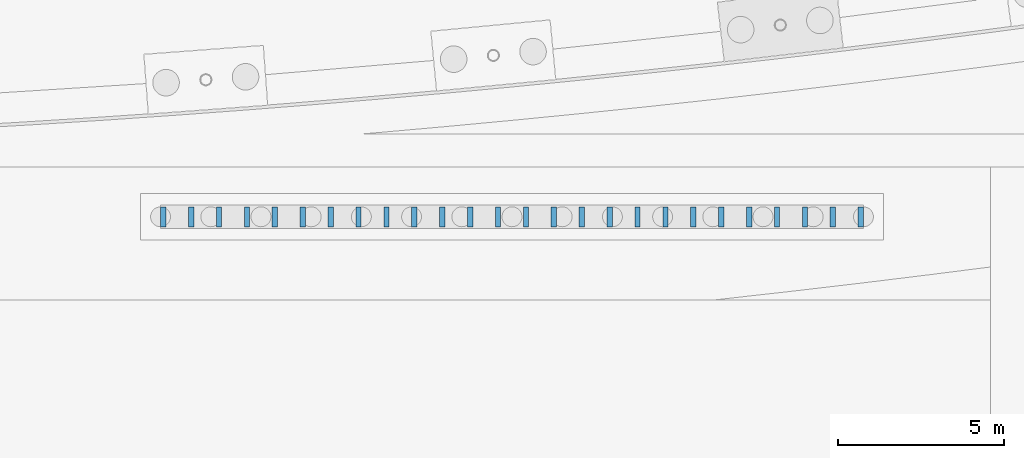
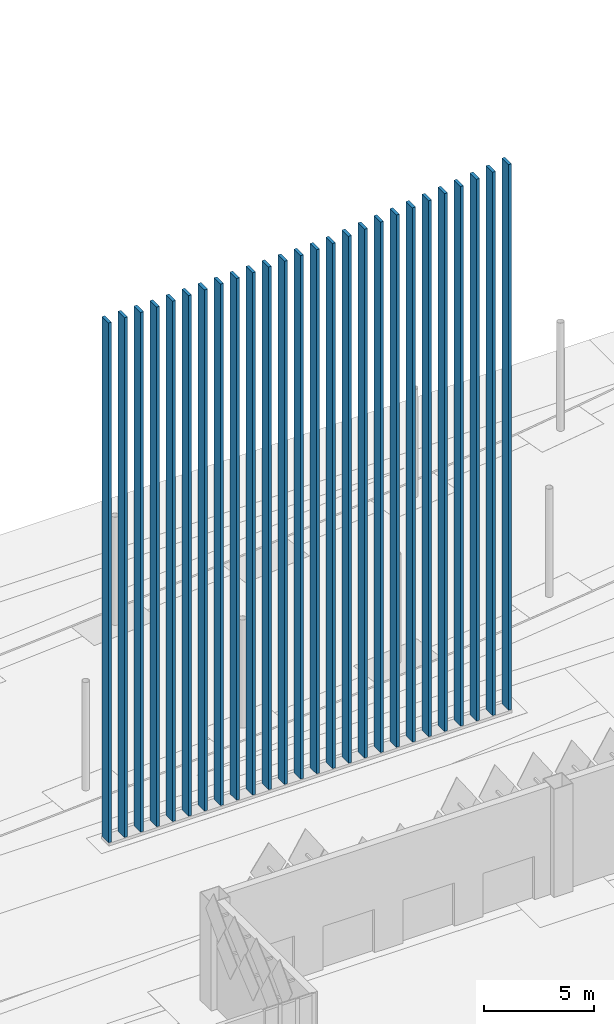
# One storey, part 49 of 198: 26 members.
"""IFC4 building model written with IfcOpenShell, lengths in metres."""

from ifc_helpers import new_model, si_unit, direction, frame, origin, origin_2d, place, context, subcontext, project, spatial, rectangle, extrude, material, material_profile, profile_set, type_object, element, save


model = new_model("IFC4")

# Units and contexts
model_context = context("Model", 3, precision=1e-05, world=origin(), true_north=direction((0.0, 1.0)))
body_context = subcontext(model_context, "Body", "Model", "MODEL_VIEW")
ifc_project = project(units=[si_unit("LENGTHUNIT", "METRE"), si_unit("AREAUNIT", "SQUARE_METRE"), si_unit("VOLUMEUNIT", "CUBIC_METRE"), si_unit("PLANEANGLEUNIT", "RADIAN"), si_unit("MASSUNIT", "GRAM", prefix="KILO")], contexts=[model_context])

# Site, building, storey
site_placement = place(None, origin())
site = spatial("IfcSite", under=ifc_project, at=site_placement, CompositionType="ELEMENT")
building_placement = place(site_placement, origin())
building = spatial("IfcBuilding", under=site, at=building_placement, Name="Opaline Strait Convention Centre", CompositionType="ELEMENT")
storey_placement = place(building_placement, origin())
storey = spatial("IfcBuildingStorey", under=building, at=storey_placement, Name="L00", CompositionType="ELEMENT", Elevation=0.0)

# Members
ifc_material = material(Name="Steel Q355B", Category="steel")
ifc_material_profile = material_profile(ifc_material, rectangle(XDim=0.159912109375, YDim=0.60009765625, at=origin_2d()), Name="BAR 160x600")
ifc_profile_set = profile_set([ifc_material_profile], Name="Steel Q355B")
member_type = type_object("IfcMemberType", Name="Entrance blade 160x600 steel", PredefinedType="USERDEFINED", material=ifc_profile_set)
for number, where, z_axis, x_axis, name in (
    (1, (209.10009765625, 166.5, 0.14990234375), (0.0, 0.0, 1.0), (1.0, 0.0, 0.0), "Entrance blade E01"),
    (2, (209.93994140625, 166.5, 0.14990234375), (0.0, 0.0, 1.0), (1.0, 0.0, 0.0), "Entrance blade E02"),
    (3, (210.780029296875, 166.5, 0.14990234375), (0.0, 0.0, 1.0), (1.0, 0.0, 0.0), "Entrance blade E03"),
):
    element("IfcMember", number, at=place(storey_placement, frame(where, z_axis=z_axis, x_axis=x_axis)), inside=storey, type_object=member_type, Name=name, ObjectType="BLADE", PredefinedType="USERDEFINED", context=body_context, shape_type="SweptSolid", body=[
        extrude(rectangle(XDim=0.159912109375, YDim=0.60009765625, at=origin_2d()), origin(), (0.0, 0.0, 1.0), 28.85009765625),
    ])
member_1_placement = place(storey_placement, frame((211.6201171875, 166.5, 0.14990234375), z_axis=(0.0, 0.0, 1.0), x_axis=(1.0, 0.0, 0.0)))
element("IfcMember", 4, at=member_1_placement, inside=storey, type_object=member_type, Name="Entrance blade E04", ObjectType="BLADE", PredefinedType="USERDEFINED", context=body_context, shape_type="SweptSolid", body=[
    extrude(rectangle(XDim=0.159912109375, YDim=0.60009765625, at=origin_2d()), origin(), (0.0, 0.0, 1.0), 28.853515625),
])
member_2_placement = place(storey_placement, frame((212.4599609375, 166.5, 0.14990234375), z_axis=(0.0, 0.0, 1.0), x_axis=(1.0, 0.0, 0.0)))
element("IfcMember", 5, at=member_2_placement, inside=storey, type_object=member_type, Name="Entrance blade E05", ObjectType="BLADE", PredefinedType="USERDEFINED", context=body_context, shape_type="SweptSolid", body=[
    extrude(rectangle(XDim=0.159912109375, YDim=0.60009765625, at=origin_2d()), origin(), (0.0, 0.0, 1.0), 28.876953125),
])
member_3_placement = place(storey_placement, frame((213.300048828125, 166.5, 0.14990234375), z_axis=(0.0, 0.0, 1.0), x_axis=(1.0, 0.0, 0.0)))
element("IfcMember", 6, at=member_3_placement, inside=storey, type_object=member_type, Name="Entrance blade E06", ObjectType="BLADE", PredefinedType="USERDEFINED", context=body_context, shape_type="SweptSolid", body=[
    extrude(rectangle(XDim=0.159912109375, YDim=0.60009765625, at=origin_2d()), origin(), (0.0, 0.0, 1.0), 28.900634765625),
])
member_4_placement = place(storey_placement, frame((214.139892578125, 166.5, 0.14990234375), z_axis=(0.0, 0.0, 1.0), x_axis=(1.0, 0.0, 0.0)))
element("IfcMember", 7, at=member_4_placement, inside=storey, type_object=member_type, Name="Entrance blade E07", ObjectType="BLADE", PredefinedType="USERDEFINED", context=body_context, shape_type="SweptSolid", body=[
    extrude(rectangle(XDim=0.159912109375, YDim=0.60009765625, at=origin_2d()), origin(), (0.0, 0.0, 1.0), 28.92431640625),
])
member_5_placement = place(storey_placement, frame((214.97998046875, 166.5, 0.14990234375), z_axis=(0.0, 0.0, 1.0), x_axis=(1.0, 0.0, 0.0)))
element("IfcMember", 8, at=member_5_placement, inside=storey, type_object=member_type, Name="Entrance blade E08", ObjectType="BLADE", PredefinedType="USERDEFINED", context=body_context, shape_type="SweptSolid", body=[
    extrude(rectangle(XDim=0.159912109375, YDim=0.60009765625, at=origin_2d()), origin(), (0.0, 0.0, 1.0), 28.94775390625),
])
member_6_placement = place(storey_placement, frame((215.820068359375, 166.5, 0.14990234375), z_axis=(0.0, 0.0, 1.0), x_axis=(1.0, 0.0, 0.0)))
element("IfcMember", 9, at=member_6_placement, inside=storey, type_object=member_type, Name="Entrance blade E09", ObjectType="BLADE", PredefinedType="USERDEFINED", context=body_context, shape_type="SweptSolid", body=[
    extrude(rectangle(XDim=0.159912109375, YDim=0.60009765625, at=origin_2d()), origin(), (0.0, 0.0, 1.0), 28.971435546875),
])
member_7_placement = place(storey_placement, frame((216.659912109375, 166.5, 0.14990234375), z_axis=(0.0, 0.0, 1.0), x_axis=(1.0, 0.0, 0.0)))
element("IfcMember", 10, at=member_7_placement, inside=storey, type_object=member_type, Name="Entrance blade E10", ObjectType="BLADE", PredefinedType="USERDEFINED", context=body_context, shape_type="SweptSolid", body=[
    extrude(rectangle(XDim=0.159912109375, YDim=0.60009765625, at=origin_2d()), origin(), (0.0, 0.0, 1.0), 28.994873046875),
])
member_8_placement = place(storey_placement, frame((217.5, 166.5, 0.14990234375), z_axis=(0.0, 0.0, 1.0), x_axis=(1.0, 0.0, 0.0)))
element("IfcMember", 11, at=member_8_placement, inside=storey, type_object=member_type, Name="Entrance blade E11", ObjectType="BLADE", PredefinedType="USERDEFINED", context=body_context, shape_type="SweptSolid", body=[
    extrude(rectangle(XDim=0.159912109375, YDim=0.60009765625, at=origin_2d()), origin(), (0.0, 0.0, 1.0), 29.0185546875),
])
member_9_placement = place(storey_placement, frame((218.340087890625, 166.5, 0.14990234375), z_axis=(0.0, 0.0, 1.0), x_axis=(1.0, 0.0, 0.0)))
element("IfcMember", 12, at=member_9_placement, inside=storey, type_object=member_type, Name="Entrance blade E12", ObjectType="BLADE", PredefinedType="USERDEFINED", context=body_context, shape_type="SweptSolid", body=[
    extrude(rectangle(XDim=0.159912109375, YDim=0.60009765625, at=origin_2d()), origin(), (0.0, 0.0, 1.0), 29.042236328125),
])
member_10_placement = place(storey_placement, frame((219.179931640625, 166.5, 0.14990234375), z_axis=(0.0, 0.0, 1.0), x_axis=(1.0, 0.0, 0.0)))
element("IfcMember", 13, at=member_10_placement, inside=storey, type_object=member_type, Name="Entrance blade E13", ObjectType="BLADE", PredefinedType="USERDEFINED", context=body_context, shape_type="SweptSolid", body=[
    extrude(rectangle(XDim=0.159912109375, YDim=0.60009765625, at=origin_2d()), origin(), (0.0, 0.0, 1.0), 29.065673828125),
])
member_11_placement = place(storey_placement, frame((220.02001953125, 166.5, 0.14990234375), z_axis=(0.0, 0.0, 1.0), x_axis=(1.0, 0.0, 0.0)))
element("IfcMember", 14, at=member_11_placement, inside=storey, type_object=member_type, Name="Entrance blade E14", ObjectType="BLADE", PredefinedType="USERDEFINED", context=body_context, shape_type="SweptSolid", body=[
    extrude(rectangle(XDim=0.159912109375, YDim=0.60009765625, at=origin_2d()), origin(), (0.0, 0.0, 1.0), 29.08935546875),
])
member_12_placement = place(storey_placement, frame((220.860107421875, 166.5, 0.14990234375), z_axis=(0.0, 0.0, 1.0), x_axis=(1.0, 0.0, 0.0)))
element("IfcMember", 15, at=member_12_placement, inside=storey, type_object=member_type, Name="Entrance blade E15", ObjectType="BLADE", PredefinedType="USERDEFINED", context=body_context, shape_type="SweptSolid", body=[
    extrude(rectangle(XDim=0.159912109375, YDim=0.60009765625, at=origin_2d()), origin(), (0.0, 0.0, 1.0), 29.146240234375),
])
member_13_placement = place(storey_placement, frame((221.699951171875, 166.5, 0.14990234375), z_axis=(0.0, 0.0, 1.0), x_axis=(1.0, 0.0, 0.0)))
element("IfcMember", 16, at=member_13_placement, inside=storey, type_object=member_type, Name="Entrance blade E16", ObjectType="BLADE", PredefinedType="USERDEFINED", context=body_context, shape_type="SweptSolid", body=[
    extrude(rectangle(XDim=0.159912109375, YDim=0.60009765625, at=origin_2d()), origin(), (0.0, 0.0, 1.0), 29.247802734375),
])
member_14_placement = place(storey_placement, frame((222.5400390625, 166.5, 0.14990234375), z_axis=(0.0, 0.0, 1.0), x_axis=(1.0, 0.0, 0.0)))
element("IfcMember", 17, at=member_14_placement, inside=storey, type_object=member_type, Name="Entrance blade E17", ObjectType="BLADE", PredefinedType="USERDEFINED", context=body_context, shape_type="SweptSolid", body=[
    extrude(rectangle(XDim=0.159912109375, YDim=0.60009765625, at=origin_2d()), origin(), (0.0, 0.0, 1.0), 29.34912109375),
])
member_15_placement = place(storey_placement, frame((223.3798828125, 166.5, 0.14990234375), z_axis=(0.0, 0.0, 1.0), x_axis=(1.0, 0.0, 0.0)))
element("IfcMember", 18, at=member_15_placement, inside=storey, type_object=member_type, Name="Entrance blade E18", ObjectType="BLADE", PredefinedType="USERDEFINED", context=body_context, shape_type="SweptSolid", body=[
    extrude(rectangle(XDim=0.159912109375, YDim=0.60009765625, at=origin_2d()), origin(), (0.0, 0.0, 1.0), 29.45068359375),
])
member_16_placement = place(storey_placement, frame((224.219970703125, 166.5, 0.14990234375), z_axis=(0.0, 0.0, 1.0), x_axis=(1.0, 0.0, 0.0)))
element("IfcMember", 19, at=member_16_placement, inside=storey, type_object=member_type, Name="Entrance blade E19", ObjectType="BLADE", PredefinedType="USERDEFINED", context=body_context, shape_type="SweptSolid", body=[
    extrude(rectangle(XDim=0.159912109375, YDim=0.60009765625, at=origin_2d()), origin(), (0.0, 0.0, 1.0), 29.55224609375),
])
member_17_placement = place(storey_placement, frame((225.06005859375, 166.5, 0.14990234375), z_axis=(0.0, 0.0, 1.0), x_axis=(1.0, 0.0, 0.0)))
element("IfcMember", 20, at=member_17_placement, inside=storey, type_object=member_type, Name="Entrance blade E20", ObjectType="BLADE", PredefinedType="USERDEFINED", context=body_context, shape_type="SweptSolid", body=[
    extrude(rectangle(XDim=0.159912109375, YDim=0.60009765625, at=origin_2d()), origin(), (0.0, 0.0, 1.0), 29.653564453125),
])
member_18_placement = place(storey_placement, frame((225.89990234375, 166.5, 0.14990234375), z_axis=(0.0, 0.0, 1.0), x_axis=(1.0, 0.0, 0.0)))
element("IfcMember", 21, at=member_18_placement, inside=storey, type_object=member_type, Name="Entrance blade E21", ObjectType="BLADE", PredefinedType="USERDEFINED", context=body_context, shape_type="SweptSolid", body=[
    extrude(rectangle(XDim=0.159912109375, YDim=0.60009765625, at=origin_2d()), origin(), (0.0, 0.0, 1.0), 29.755126953125),
])
member_19_placement = place(storey_placement, frame((226.739990234375, 166.5, 0.14990234375), z_axis=(0.0, 0.0, 1.0), x_axis=(1.0, 0.0, 0.0)))
element("IfcMember", 22, at=member_19_placement, inside=storey, type_object=member_type, Name="Entrance blade E22", ObjectType="BLADE", PredefinedType="USERDEFINED", context=body_context, shape_type="SweptSolid", body=[
    extrude(rectangle(XDim=0.159912109375, YDim=0.60009765625, at=origin_2d()), origin(), (0.0, 0.0, 1.0), 29.8564453125),
])
member_20_placement = place(storey_placement, frame((227.580078125, 166.5, 0.14990234375), z_axis=(0.0, 0.0, 1.0), x_axis=(1.0, 0.0, 0.0)))
element("IfcMember", 23, at=member_20_placement, inside=storey, type_object=member_type, Name="Entrance blade E23", ObjectType="BLADE", PredefinedType="USERDEFINED", context=body_context, shape_type="SweptSolid", body=[
    extrude(rectangle(XDim=0.159912109375, YDim=0.60009765625, at=origin_2d()), origin(), (0.0, 0.0, 1.0), 29.9580078125),
])
member_21_placement = place(storey_placement, frame((228.419921875, 166.5, 0.14990234375), z_axis=(0.0, 0.0, 1.0), x_axis=(1.0, 0.0, 0.0)))
element("IfcMember", 24, at=member_21_placement, inside=storey, type_object=member_type, Name="Entrance blade E24", ObjectType="BLADE", PredefinedType="USERDEFINED", context=body_context, shape_type="SweptSolid", body=[
    extrude(rectangle(XDim=0.159912109375, YDim=0.60009765625, at=origin_2d()), origin(), (0.0, 0.0, 1.0), 30.0595703125),
])
member_22_placement = place(storey_placement, frame((229.260009765625, 166.5, 0.14990234375), z_axis=(0.0, 0.0, 1.0), x_axis=(1.0, 0.0, 0.0)))
element("IfcMember", 25, at=member_22_placement, inside=storey, type_object=member_type, Name="Entrance blade E25", ObjectType="BLADE", PredefinedType="USERDEFINED", context=body_context, shape_type="SweptSolid", body=[
    extrude(rectangle(XDim=0.159912109375, YDim=0.60009765625, at=origin_2d()), origin(), (0.0, 0.0, 1.0), 30.160888671875),
])
member_23_placement = place(storey_placement, frame((230.10009765625, 166.5, 0.14990234375), z_axis=(0.0, 0.0, 1.0), x_axis=(1.0, 0.0, 0.0)))
element("IfcMember", 26, at=member_23_placement, inside=storey, type_object=member_type, Name="Entrance blade E26", ObjectType="BLADE", PredefinedType="USERDEFINED", context=body_context, shape_type="SweptSolid", body=[
    extrude(rectangle(XDim=0.159912109375, YDim=0.60009765625, at=origin_2d()), origin(), (0.0, 0.0, 1.0), 30.291748046875),
])

save(model, "model.ifc")
